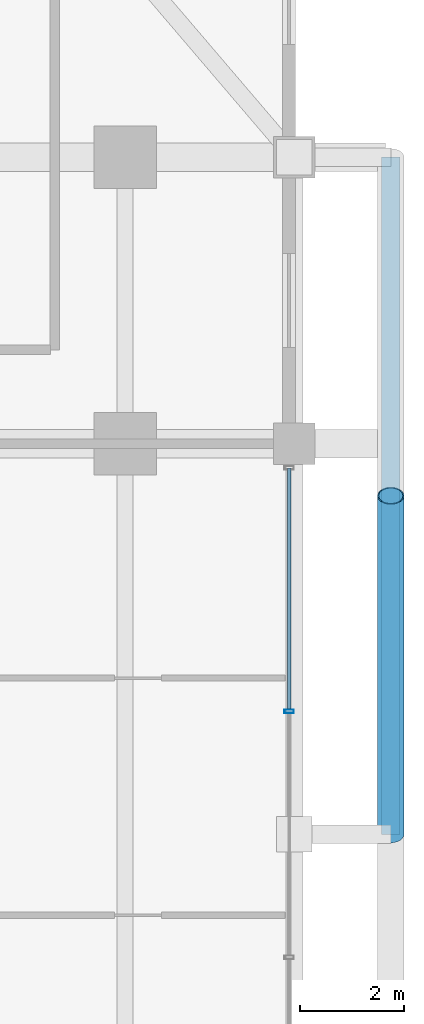
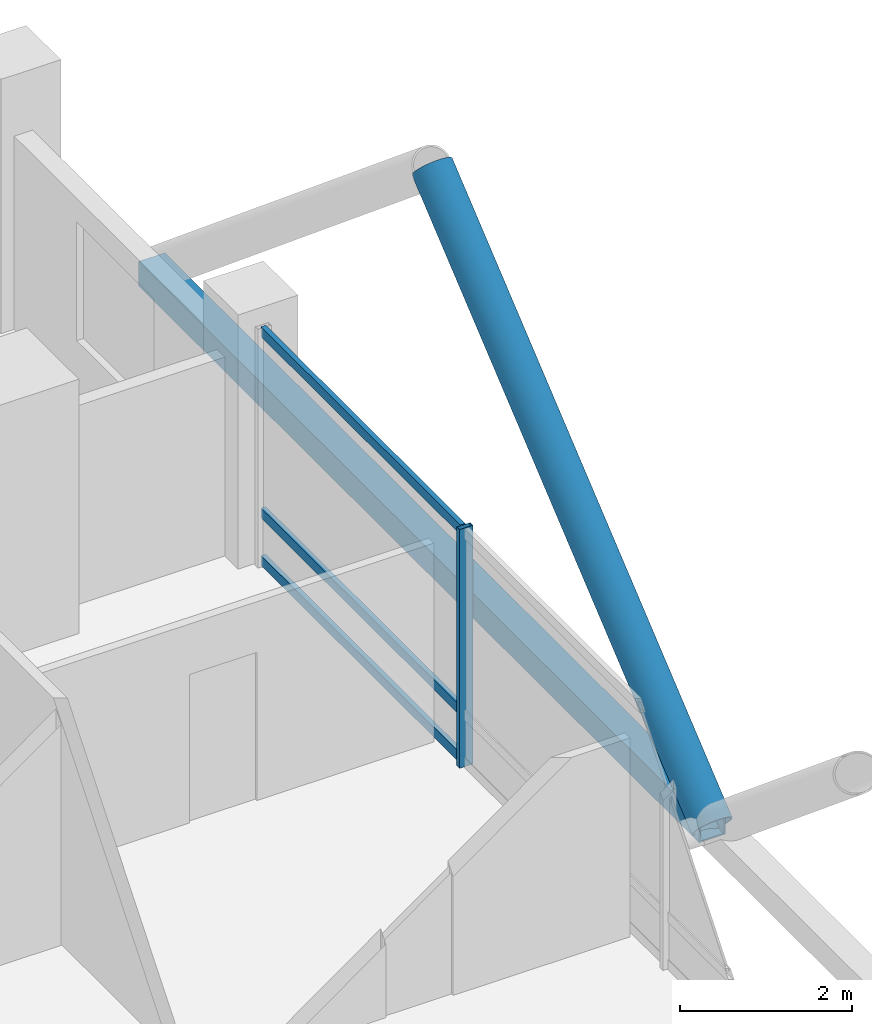
# One storey, part 9 of 21: 6 members, 1 element without a shape of its own.
"""IFC4 building model written with IfcOpenShell, lengths in metres."""

from ifc_helpers import new_model, si_unit, direction, frame, origin, origin_2d, place, context, subcontext, project, spatial, hollow_rectangle, hollow_circle, extrude, material, layer, layer_set, material_profile, profile_set, type_object, element, aggregate, save


model = new_model("IFC4")

# Units and contexts
model_context = context("Model", 3, precision=1e-05, world=origin(), true_north=direction((0.0, 1.0)))
body_context = subcontext(model_context, "Body", "Model", "MODEL_VIEW")
ifc_project = project(units=[si_unit("LENGTHUNIT", "METRE"), si_unit("AREAUNIT", "SQUARE_METRE"), si_unit("VOLUMEUNIT", "CUBIC_METRE"), si_unit("PLANEANGLEUNIT", "RADIAN"), si_unit("MASSUNIT", "GRAM", prefix="KILO")], contexts=[model_context])

# Site, building, storey
site_placement = place(None, origin())
site = spatial("IfcSite", under=ifc_project, at=site_placement, CompositionType="ELEMENT")
building_placement = place(site_placement, origin())
building = spatial("IfcBuilding", under=site, at=building_placement, Name="Barlavira Tower and Art Museum", CompositionType="ELEMENT")
storey_placement = place(building_placement, frame((0.0, 0.0, 99.0)))
storey = spatial("IfcBuildingStorey", under=building, at=storey_placement, Name="L24", CompositionType="ELEMENT", Elevation=99.0)

# Curtain wall, members
ifc_material_1 = material(Name="Low-iron coastal laminated glass", Category="glass")
ifc_layer = layer(ifc_material_1, 0.18994140625, Name="Low-iron coastal laminated glass")
ifc_layer_set = layer_set([ifc_layer], Name="Low-iron coastal laminated glass")
curtain_wall_type = type_object("IfcCurtainWallType", Name="Pale-Metal Unitised Curtain Wall Zone 2", PredefinedType="NOTDEFINED", material=ifc_layer_set)
curtain_wall_placement = place(storey_placement, origin())
curtain_wall = element("IfcCurtainWall", 1, at=curtain_wall_placement, inside=storey, type_object=curtain_wall_type, Name="L24 Curtain Wall CW2-L24-E-B3", PredefinedType="NOTDEFINED")
ifc_material_2 = material(Name="Pale anodised aluminium", Category="aluminium")
ifc_material_profile_1 = material_profile(ifc_material_2, hollow_rectangle(XDim=0.06494140625, YDim=0.179931640625, WallThickness=0.00390625, at=origin_2d()), Name="ALU-MULL 65x180x4")
ifc_profile_set_1 = profile_set([ifc_material_profile_1], Name="Pale anodised aluminium")
member_type_1 = type_object("IfcMemberType", Name="Curtain Wall Pale-Metal Mullion 65x180", PredefinedType="MULLION", material=ifc_profile_set_1)
member_1_placement = place(storey_placement, frame((20.14990234375, 2.360107421875, 0.0), z_axis=(0.0, 0.0, 1.0), x_axis=(0.0, 1.0, 0.0)))
member_1 = element("IfcMember", 2, at=member_1_placement, type_object=member_type_1, Name="CW2-L24-E-B3 Mullion 2", PredefinedType="MULLION", context=body_context, shape_type="SweptSolid", body=[
    extrude(hollow_rectangle(XDim=0.06494140625, YDim=0.179931640625, WallThickness=0.00390625, at=origin_2d()), origin(), (0.0, 0.0, 1.0), 3.3798828125),
])
ifc_material_profile_2 = material_profile(ifc_material_2, hollow_rectangle(XDim=0.06494140625, YDim=0.139892578125, WallThickness=0.00390625, at=origin_2d()), Name="ALU-TRAN 65x140x4")
ifc_profile_set_2 = profile_set([ifc_material_profile_2], Name="Pale anodised aluminium")
member_type_2 = type_object("IfcMemberType", Name="Curtain Wall Pale-Metal Transom 65x140", PredefinedType="USERDEFINED", material=ifc_profile_set_2)
member_2_placement = place(storey_placement, frame((20.14990234375, 2.405029296875, 0.070068359375), z_axis=(0.0, 1.0, 0.0), x_axis=(-1.0, 0.0, 0.0)))
member_2 = element("IfcMember", 3, at=member_2_placement, type_object=member_type_2, Name="CW2-L24-E-B3 Transom 2.1", ObjectType="TRANSOM", PredefinedType="USERDEFINED", context=body_context, shape_type="SweptSolid", body=[
    extrude(hollow_rectangle(XDim=0.06494140625, YDim=0.139892578125, WallThickness=0.00390625, at=origin_2d()), origin(), (0.0, 0.0, 1.0), 4.6298828125),
])
member_3_placement = place(storey_placement, frame((20.14990234375, 2.405029296875, 0.743896484375), z_axis=(0.0, 1.0, 0.0), x_axis=(-1.0, 0.0, 0.0)))
member_3 = element("IfcMember", 4, at=member_3_placement, type_object=member_type_2, Name="CW2-L24-E-B3 Transom 2.2", ObjectType="TRANSOM", PredefinedType="USERDEFINED", context=body_context, shape_type="SweptSolid", body=[
    extrude(hollow_rectangle(XDim=0.06494140625, YDim=0.139892578125, WallThickness=0.00390625, at=origin_2d()), origin(), (0.0, 0.0, 1.0), 4.6298828125),
])
member_4_placement = place(storey_placement, frame((20.14990234375, 2.405029296875, 3.31005859375), z_axis=(0.0, 1.0, 0.0), x_axis=(-1.0, 0.0, 0.0)))
member_4 = element("IfcMember", 5, at=member_4_placement, type_object=member_type_2, Name="CW2-L24-E-B3 Transom 2.3", ObjectType="TRANSOM", PredefinedType="USERDEFINED", context=body_context, shape_type="SweptSolid", body=[
    extrude(hollow_rectangle(XDim=0.06494140625, YDim=0.139892578125, WallThickness=0.00390625, at=origin_2d()), origin(), (0.0, 0.0, 1.0), 4.6298828125),
])
aggregate(curtain_wall, [member_1, member_2, member_3, member_4])

# Members
ifc_material_3 = material(Name="Steel S355", Category="steel")
ifc_material_profile_3 = material_profile(ifc_material_3, hollow_circle(Radius=0.25390625, WallThickness=0.022216796875, at=origin_2d()), Name="CHS 508.0x22.2")
ifc_profile_set_3 = profile_set([ifc_material_profile_3], Name="Steel S355")
member_type_3 = type_object("IfcMemberType", Name="Pale-Metal Exoskeleton Diagrid Tube CHS 508x22 Steel S355", PredefinedType="BRACE", material=ifc_profile_set_3)
member_5_placement = place(storey_placement, frame((22.10009765625, 0.0, -0.1201171875), z_axis=(0.0, 0.76918185268, 0.639029950399), x_axis=(-1.0, 0.0, 0.0)))
element("IfcMember", 6, at=member_5_placement, inside=storey, type_object=member_type_3, Name="L24 Exoskeleton Diagrid Tube E", PredefinedType="BRACE", context=body_context, shape_type="SweptSolid", body=[
    extrude(hollow_circle(Radius=0.25390625, WallThickness=0.022216796875, at=origin_2d()), origin(), (0.0, 0.0, 1.0), 8.450439453125),
])
ifc_material_profile_4 = material_profile(ifc_material_3, hollow_rectangle(XDim=0.35009765625, YDim=0.35009765625, WallThickness=0.02001953125, at=origin_2d()), Name="SHS 350x350x20.0")
ifc_profile_set_4 = profile_set([ifc_material_profile_4], Name="Steel S355")
member_type_4 = type_object("IfcMemberType", Name="Pale-Metal Exoskeleton Ring Strut SHS 350x350x20 Steel S355", PredefinedType="STRUT", material=ifc_profile_set_4)
member_6_placement = place(storey_placement, frame((22.10009765625, 0.0, -0.1201171875), z_axis=(0.0, 1.0, 0.0), x_axis=(-1.0, 0.0, 0.0)))
element("IfcMember", 7, at=member_6_placement, inside=storey, type_object=member_type_4, Name="L24 Exoskeleton Ring Strut E", PredefinedType="STRUT", context=body_context, shape_type="SweptSolid", body=[
    extrude(hollow_rectangle(XDim=0.35009765625, YDim=0.35009765625, WallThickness=0.02001953125, at=origin_2d()), origin(), (0.0, 0.0, 1.0), 13.0),
])

save(model, "model.ifc")
